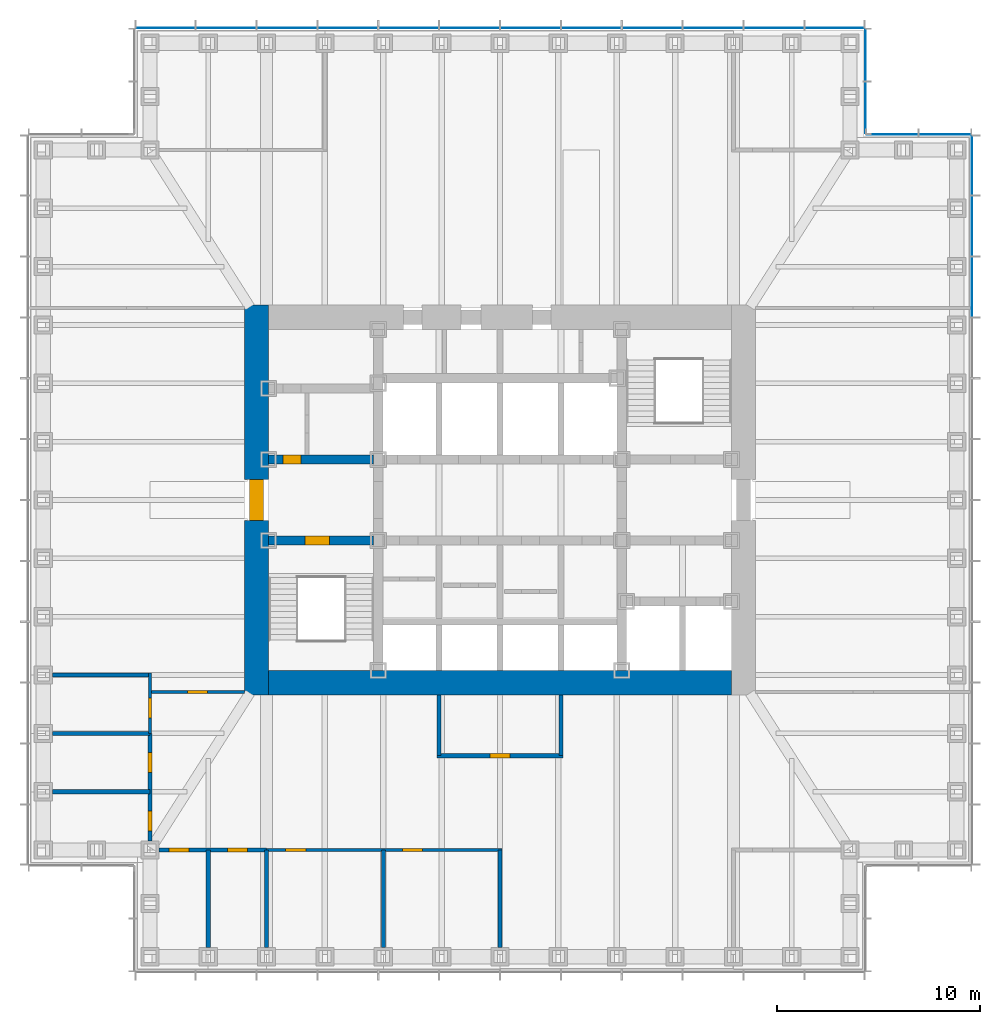
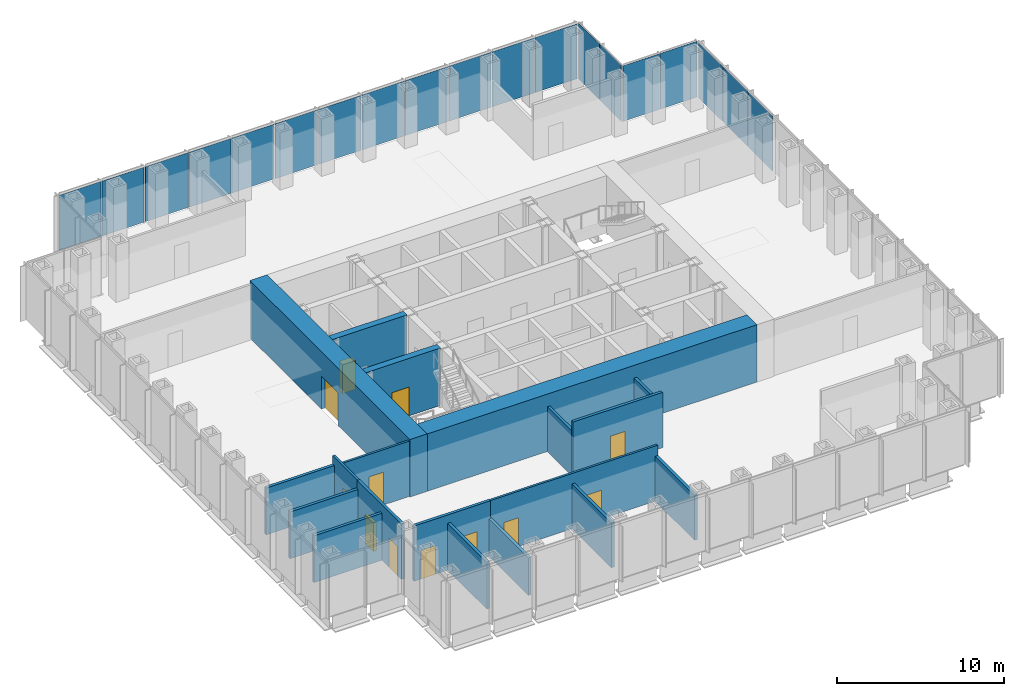
# One storey, part 8 of 16: 19 plates, 19 walls, 12 doors, 12 openings, 4 elements without a shape of their own.
"""IFC4 building model written with IfcOpenShell, lengths in metres."""

from ifc_helpers import new_model, si_unit, direction, frame, frame_2d, origin, origin_2d, place, context, subcontext, project, spatial, rectangle, extrude, material, layer, layer_set, type_object, element, fill, aggregate, save


model = new_model("IFC4")

# Units and contexts
model_context = context("Model", 3, precision=1e-05, world=origin(), true_north=direction((0.0, 1.0)))
body_context = subcontext(model_context, "Body", "Model", "MODEL_VIEW")
ifc_project = project(units=[si_unit("LENGTHUNIT", "METRE"), si_unit("AREAUNIT", "SQUARE_METRE"), si_unit("VOLUMEUNIT", "CUBIC_METRE"), si_unit("PLANEANGLEUNIT", "RADIAN"), si_unit("MASSUNIT", "GRAM", prefix="KILO")], contexts=[model_context])

# Site, building, storey
site_placement = place(None, origin())
site = spatial("IfcSite", under=ifc_project, at=site_placement, CompositionType="ELEMENT")
building_placement = place(site_placement, origin())
building = spatial("IfcBuilding", under=site, at=building_placement, Name="Daluyong Arena Tower", CompositionType="ELEMENT")
storey_placement = place(building_placement, frame((0.0, 0.0, 120.699951171875)))
storey = spatial("IfcBuildingStorey", under=building, at=storey_placement, Name="L26", CompositionType="ELEMENT", Elevation=120.699951171875)

# Curtain wall, plates
ifc_material_1 = material(Name="Bronze anodised aluminium and glass", Category="aluminium")
curtain_wall_type_1 = type_object("IfcCurtainWallType", Name="Curtain wall CW2", PredefinedType="USERDEFINED", material=ifc_material_1)
curtain_wall_1_placement = place(storey_placement, origin())
curtain_wall_1 = element("IfcCurtainWall", 1, at=curtain_wall_1_placement, inside=storey, type_object=curtain_wall_type_1, Name="curtain wall L26 E", ObjectType="UNITISED CURTAIN WALL", PredefinedType="USERDEFINED")
ifc_material_2 = material(Name="Tinted double glazed unit", Category="glass")
ifc_layer_1 = layer(ifc_material_2, 0.031982421875)
ifc_layer_set_1 = layer_set([ifc_layer_1], Name="Tinted double glazed unit")
plate_type_1 = type_object("IfcPlateType", Name="CW2 panel 32", PredefinedType="CURTAIN_PANEL", material=ifc_layer_set_1)
plate_1_placement = place(storey_placement, frame((79.25, 90.5, 0.0), z_axis=(0.0, 0.0, 1.0), x_axis=(0.0, 1.0, 0.0)))
plate_1 = element("IfcPlate", 2, at=plate_1_placement, type_object=plate_type_1, Name="curtain wall L26 E panel 10", PredefinedType="CURTAIN_PANEL", context=body_context, shape_type="SweptSolid", body=[
    extrude(rectangle(XDim=2.919921875, YDim=0.031982421875, at=origin_2d()), origin(), (0.0, 0.0, 1.0), 4.02001953125),
])
plate_2_placement = place(storey_placement, frame((79.25, 93.5, 0.0), z_axis=(0.0, 0.0, 1.0), x_axis=(0.0, 1.0, 0.0)))
plate_2 = element("IfcPlate", 3, at=plate_2_placement, type_object=plate_type_1, Name="curtain wall L26 E panel 11", PredefinedType="CURTAIN_PANEL", context=body_context, shape_type="SweptSolid", body=[
    extrude(rectangle(XDim=2.919921875, YDim=0.031982421875, at=origin_2d()), origin(), (0.0, 0.0, 1.0), 4.02001953125),
])
plate_3_placement = place(storey_placement, frame((79.25, 96.47998046875, 0.0), z_axis=(0.0, 0.0, 1.0), x_axis=(0.0, 1.0, 0.0)))
plate_3 = element("IfcPlate", 4, at=plate_3_placement, type_object=plate_type_1, Name="curtain wall L26 E panel 12", PredefinedType="CURTAIN_PANEL", context=body_context, shape_type="SweptSolid", body=[
    extrude(rectangle(XDim=2.8798828125, YDim=0.031982421875, at=origin_2d()), origin(), (0.0, 0.0, 1.0), 4.02001953125),
])
aggregate(curtain_wall_1, [plate_1, plate_2, plate_3])

curtain_wall_2_placement = place(storey_placement, origin())
curtain_wall_2 = element("IfcCurtainWall", 5, at=curtain_wall_2_placement, inside=storey, type_object=curtain_wall_type_1, Name="curtain wall L26 N", ObjectType="UNITISED CURTAIN WALL", PredefinedType="USERDEFINED")
plate_4_placement = place(storey_placement, frame((72.47998046875, 103.25, 0.0), z_axis=(0.0, 0.0, 1.0), x_axis=(-1.0, 0.0, 0.0)))
plate_4 = element("IfcPlate", 6, at=plate_4_placement, type_object=plate_type_1, Name="curtain wall L26 N panel 1", PredefinedType="CURTAIN_PANEL", context=body_context, shape_type="SweptSolid", body=[
    extrude(rectangle(XDim=2.8798828125, YDim=0.031982421875, at=origin_2d()), origin(), (0.0, 0.0, 1.0), 4.02001953125),
])
plate_5_placement = place(storey_placement, frame((69.5, 103.25, 0.0), z_axis=(0.0, 0.0, 1.0), x_axis=(-1.0, 0.0, 0.0)))
plate_5 = element("IfcPlate", 7, at=plate_5_placement, type_object=plate_type_1, Name="curtain wall L26 N panel 2", PredefinedType="CURTAIN_PANEL", context=body_context, shape_type="SweptSolid", body=[
    extrude(rectangle(XDim=2.919921875, YDim=0.031982421875, at=origin_2d()), origin(), (0.0, 0.0, 1.0), 4.02001953125),
])
plate_6_placement = place(storey_placement, frame((66.5, 103.25, 0.0), z_axis=(0.0, 0.0, 1.0), x_axis=(-1.0, 0.0, 0.0)))
plate_6 = element("IfcPlate", 8, at=plate_6_placement, type_object=plate_type_1, Name="curtain wall L26 N panel 3", PredefinedType="CURTAIN_PANEL", context=body_context, shape_type="SweptSolid", body=[
    extrude(rectangle(XDim=2.919921875, YDim=0.031982421875, at=origin_2d()), origin(), (0.0, 0.0, 1.0), 4.02001953125),
])
plate_7_placement = place(storey_placement, frame((63.5, 103.25, 0.0), z_axis=(0.0, 0.0, 1.0), x_axis=(-1.0, 0.0, 0.0)))
plate_7 = element("IfcPlate", 9, at=plate_7_placement, type_object=plate_type_1, Name="curtain wall L26 N panel 4", PredefinedType="CURTAIN_PANEL", context=body_context, shape_type="SweptSolid", body=[
    extrude(rectangle(XDim=2.919921875, YDim=0.031982421875, at=origin_2d()), origin(), (0.0, 0.0, 1.0), 4.02001953125),
])
plate_8_placement = place(storey_placement, frame((60.5, 103.25, 0.0), z_axis=(0.0, 0.0, 1.0), x_axis=(-1.0, 0.0, 0.0)))
plate_8 = element("IfcPlate", 10, at=plate_8_placement, type_object=plate_type_1, Name="curtain wall L26 N panel 5", PredefinedType="CURTAIN_PANEL", context=body_context, shape_type="SweptSolid", body=[
    extrude(rectangle(XDim=2.919921875, YDim=0.031982421875, at=origin_2d()), origin(), (0.0, 0.0, 1.0), 4.02001953125),
])
plate_9_placement = place(storey_placement, frame((57.5, 103.25, 0.0), z_axis=(0.0, 0.0, 1.0), x_axis=(-1.0, 0.0, 0.0)))
plate_9 = element("IfcPlate", 11, at=plate_9_placement, type_object=plate_type_1, Name="curtain wall L26 N panel 6", PredefinedType="CURTAIN_PANEL", context=body_context, shape_type="SweptSolid", body=[
    extrude(rectangle(XDim=2.919921875, YDim=0.031982421875, at=origin_2d()), origin(), (0.0, 0.0, 1.0), 4.02001953125),
])
plate_10_placement = place(storey_placement, frame((54.5, 103.25, 0.0), z_axis=(0.0, 0.0, 1.0), x_axis=(-1.0, 0.0, 0.0)))
plate_10 = element("IfcPlate", 12, at=plate_10_placement, type_object=plate_type_1, Name="curtain wall L26 N panel 7", PredefinedType="CURTAIN_PANEL", context=body_context, shape_type="SweptSolid", body=[
    extrude(rectangle(XDim=2.919921875, YDim=0.031982421875, at=origin_2d()), origin(), (0.0, 0.0, 1.0), 4.02001953125),
])
plate_11_placement = place(storey_placement, frame((51.5, 103.25, 0.0), z_axis=(0.0, 0.0, 1.0), x_axis=(-1.0, 0.0, 0.0)))
plate_11 = element("IfcPlate", 13, at=plate_11_placement, type_object=plate_type_1, Name="curtain wall L26 N panel 8", PredefinedType="CURTAIN_PANEL", context=body_context, shape_type="SweptSolid", body=[
    extrude(rectangle(XDim=2.919921875, YDim=0.031982421875, at=origin_2d()), origin(), (0.0, 0.0, 1.0), 4.02001953125),
])
plate_12_placement = place(storey_placement, frame((48.5, 103.25, 0.0), z_axis=(0.0, 0.0, 1.0), x_axis=(-1.0, 0.0, 0.0)))
plate_12 = element("IfcPlate", 14, at=plate_12_placement, type_object=plate_type_1, Name="curtain wall L26 N panel 9", PredefinedType="CURTAIN_PANEL", context=body_context, shape_type="SweptSolid", body=[
    extrude(rectangle(XDim=2.919921875, YDim=0.031982421875, at=origin_2d()), origin(), (0.0, 0.0, 1.0), 4.02001953125),
])
plate_13_placement = place(storey_placement, frame((45.5, 103.25, 0.0), z_axis=(0.0, 0.0, 1.0), x_axis=(-1.0, 0.0, 0.0)))
plate_13 = element("IfcPlate", 15, at=plate_13_placement, type_object=plate_type_1, Name="curtain wall L26 N panel 10", PredefinedType="CURTAIN_PANEL", context=body_context, shape_type="SweptSolid", body=[
    extrude(rectangle(XDim=2.919921875, YDim=0.031982421875, at=origin_2d()), origin(), (0.0, 0.0, 1.0), 4.02001953125),
])
plate_14_placement = place(storey_placement, frame((42.5, 103.25, 0.0), z_axis=(0.0, 0.0, 1.0), x_axis=(-1.0, 0.0, 0.0)))
plate_14 = element("IfcPlate", 16, at=plate_14_placement, type_object=plate_type_1, Name="curtain wall L26 N panel 11", PredefinedType="CURTAIN_PANEL", context=body_context, shape_type="SweptSolid", body=[
    extrude(rectangle(XDim=2.919921875, YDim=0.031982421875, at=origin_2d()), origin(), (0.0, 0.0, 1.0), 4.02001953125),
])
plate_15_placement = place(storey_placement, frame((39.52001953125, 103.25, 0.0), z_axis=(0.0, 0.0, 1.0), x_axis=(-1.0, 0.0, 0.0)))
plate_15 = element("IfcPlate", 17, at=plate_15_placement, type_object=plate_type_1, Name="curtain wall L26 N panel 12", PredefinedType="CURTAIN_PANEL", context=body_context, shape_type="SweptSolid", body=[
    extrude(rectangle(XDim=2.8798828125, YDim=0.031982421875, at=origin_2d()), origin(), (0.0, 0.0, 1.0), 4.02001953125),
])
aggregate(curtain_wall_2, [plate_4, plate_5, plate_6, plate_7, plate_8, plate_9, plate_10, plate_11, plate_12, plate_13, plate_14, plate_15])

ifc_material_3 = material(Name="Bronze anodised aluminium and glass", Category="aluminium")
curtain_wall_type_2 = type_object("IfcCurtainWallType", Name="Curtain wall CW7", PredefinedType="USERDEFINED", material=ifc_material_3)
curtain_wall_3_placement = place(storey_placement, origin())
curtain_wall_3 = element("IfcCurtainWall", 18, at=curtain_wall_3_placement, inside=storey, type_object=curtain_wall_type_2, Name="curtain wall L26 NE-N", ObjectType="UNITISED CURTAIN WALL", PredefinedType="USERDEFINED")
ifc_material_4 = material(Name="Tinted double glazed unit", Category="glass")
ifc_layer_2 = layer(ifc_material_4, 0.028076171875)
ifc_layer_set_2 = layer_set([ifc_layer_2], Name="Tinted double glazed unit")
plate_type_2 = type_object("IfcPlateType", Name="CW7 panel 28", PredefinedType="CURTAIN_PANEL", material=ifc_layer_set_2)
plate_16_placement = place(storey_placement, frame((77.922607421875, 98.0, 0.0), z_axis=(0.0, 0.0, 1.0), x_axis=(-1.0, 0.0, 0.0)))
plate_16 = element("IfcPlate", 19, at=plate_16_placement, type_object=plate_type_2, Name="curtain wall L26 NE-N panel 1", PredefinedType="CURTAIN_PANEL", context=body_context, shape_type="SweptSolid", body=[
    extrude(rectangle(XDim=2.534912109375, YDim=0.028076171875, at=origin_2d()), origin(), (0.0, 0.0, 1.0), 4.080078125),
])
plate_17_placement = place(storey_placement, frame((75.327392578125, 98.0, 0.0), z_axis=(0.0, 0.0, 1.0), x_axis=(-1.0, 0.0, 0.0)))
plate_17 = element("IfcPlate", 20, at=plate_17_placement, type_object=plate_type_2, Name="curtain wall L26 NE-N panel 2", PredefinedType="CURTAIN_PANEL", context=body_context, shape_type="SweptSolid", body=[
    extrude(rectangle(XDim=2.534912109375, YDim=0.028076171875, at=origin_2d()), origin(), (0.0, 0.0, 1.0), 4.080078125),
])
aggregate(curtain_wall_3, [plate_16, plate_17])

curtain_wall_4_placement = place(storey_placement, origin())
curtain_wall_4 = element("IfcCurtainWall", 21, at=curtain_wall_4_placement, inside=storey, type_object=curtain_wall_type_2, Name="curtain wall L26 NE-E", ObjectType="UNITISED CURTAIN WALL", PredefinedType="USERDEFINED")
plate_18_placement = place(storey_placement, frame((74.0, 99.327392578125, 0.0), z_axis=(0.0, 0.0, 1.0), x_axis=(0.0, 1.0, 0.0)))
plate_18 = element("IfcPlate", 22, at=plate_18_placement, type_object=plate_type_2, Name="curtain wall L26 NE-E panel 1", PredefinedType="CURTAIN_PANEL", context=body_context, shape_type="SweptSolid", body=[
    extrude(rectangle(XDim=2.534912109375, YDim=0.028076171875, at=origin_2d()), origin(), (0.0, 0.0, 1.0), 4.080078125),
])
plate_19_placement = place(storey_placement, frame((74.0, 101.922607421875, 0.0), z_axis=(0.0, 0.0, 1.0), x_axis=(0.0, 1.0, 0.0)))
plate_19 = element("IfcPlate", 23, at=plate_19_placement, type_object=plate_type_2, Name="curtain wall L26 NE-E panel 2", PredefinedType="CURTAIN_PANEL", context=body_context, shape_type="SweptSolid", body=[
    extrude(rectangle(XDim=2.534912109375, YDim=0.028076171875, at=origin_2d()), origin(), (0.0, 0.0, 1.0), 4.080078125),
])
aggregate(curtain_wall_4, [plate_18, plate_19])

# Wall, opening, door
ifc_material_5 = material(Name="Concrete fc' 45 MPa", Category="concrete")
ifc_layer_3 = layer(ifc_material_5, 0.449951171875)
ifc_layer_set_3 = layer_set([ifc_layer_3], Name="Concrete fc' 45 MPa")
wall_type_1 = type_object("IfcWallType", Name="Core inner wall 450", PredefinedType="SHEAR", material=ifc_layer_set_3)
wall_1_placement = place(storey_placement, frame((44.60009765625, 78.0, 0.0), z_axis=(0.0, 0.0, 1.0), x_axis=(1.0, 0.0, 0.0)))
wall_1 = element("IfcWall", 24, at=wall_1_placement, inside=storey, type_object=wall_type_1, Name="core inner wall at L26", PredefinedType="SHEAR", context=body_context, shape_type="SweptSolid", body=[
    extrude(rectangle(XDim=5.1748046875, YDim=0.449951171875, at=frame_2d((2.58740234375, 0.0))), origin(), (0.0, 0.0, 1.0), 4.199951171875),
])
opening_1_placement = place(wall_1_placement, frame((1.800048828125, 0.0, 0.0)))
opening_1 = element("IfcOpeningElement", 25, at=opening_1_placement, cuts=wall_1, Name="Opening 26015", PredefinedType="OPENING", context=body_context, shape_type="SweptSolid", body=[
    extrude(rectangle(XDim=1.199951171875, YDim=2.10009765625, at=frame_2d((0.60009765625, 1.050048828125))), frame((0.0, 0.23486328125, 0.0), z_axis=(0.0, -1.0, 0.0), x_axis=(1.0, 0.0, 0.0)), (0.0, 0.0, 1.0), 0.469970703125),
])
ifc_material_6 = material(Name="Steel door, fire rated", Category="steel")
door_type_1 = type_object("IfcDoorType", Name="Stair door 1200", OperationType="SINGLE_SWING_LEFT", PredefinedType="DOOR", material=ifc_material_6)
door_1_placement = place(opening_1_placement, origin())
door_1 = element("IfcDoor", 26, at=door_1_placement, inside=storey, type_object=door_type_1, Name="stair A door 26015", OperationType="SINGLE_SWING_LEFT", OverallHeight=2.10009765625, OverallWidth=1.199951171875, PredefinedType="DOOR", context=body_context, shape_type="SweptSolid", body=[
    extrude(rectangle(XDim=1.199951171875, YDim=2.10009765625, at=frame_2d((0.60009765625, 1.050048828125))), frame((0.0, 0.224609375, 0.0), z_axis=(0.0, -1.0, 0.0), x_axis=(1.0, 0.0, 0.0)), (0.0, 0.0, 1.0), 0.449462890625),
])
fill(opening_1, door_1)

wall_2_placement = place(storey_placement, frame((44.60009765625, 82.0, 0.0), z_axis=(0.0, 0.0, 1.0), x_axis=(1.0, 0.0, 0.0)))
wall_2 = element("IfcWall", 27, at=wall_2_placement, inside=storey, type_object=wall_type_1, Name="core inner wall at L26", PredefinedType="SHEAR", context=body_context, shape_type="SweptSolid", body=[
    extrude(rectangle(XDim=5.1748046875, YDim=0.449951171875, at=frame_2d((2.58740234375, 0.0))), origin(), (0.0, 0.0, 1.0), 4.199951171875),
])
opening_2_placement = place(wall_2_placement, frame((0.699951171875, 0.0, 0.0)))
opening_2 = element("IfcOpeningElement", 28, at=opening_2_placement, cuts=wall_2, Name="Opening 26001", PredefinedType="OPENING", context=body_context, shape_type="SweptSolid", body=[
    extrude(rectangle(XDim=0.89990234375, YDim=2.10009765625, at=frame_2d((0.449951171875, 1.050048828125))), frame((0.0, 0.23486328125, 0.0), z_axis=(0.0, -1.0, 0.0), x_axis=(1.0, 0.0, 0.0)), (0.0, 0.0, 1.0), 0.469970703125),
])
ifc_material_7 = material(Name="Steel door, fire rated", Category="steel")
door_type_2 = type_object("IfcDoorType", Name="Core room door 900", OperationType="SINGLE_SWING_LEFT", PredefinedType="DOOR", material=ifc_material_7)
door_2_placement = place(opening_2_placement, origin())
door_2 = element("IfcDoor", 29, at=door_2_placement, inside=storey, type_object=door_type_2, Name="toilet lobby door 26001", OperationType="SINGLE_SWING_LEFT", OverallHeight=2.10009765625, OverallWidth=0.89990234375, PredefinedType="DOOR", context=body_context, shape_type="SweptSolid", body=[
    extrude(rectangle(XDim=0.89990234375, YDim=2.10009765625, at=frame_2d((0.449951171875, 1.050048828125))), frame((0.0, 0.224609375, 0.0), z_axis=(0.0, -1.0, 0.0), x_axis=(1.0, 0.0, 0.0)), (0.0, 0.0, 1.0), 0.449462890625),
])
fill(opening_2, door_2)

ifc_material_8 = material(Name="Concrete fc' 60 MPa", Category="concrete")
ifc_layer_4 = layer(ifc_material_8, 1.199951171875)
ifc_layer_set_4 = layer_set([ifc_layer_4], Name="Concrete fc' 60 MPa")
wall_type_2 = type_object("IfcWallType", Name="Core wall 1200", PredefinedType="SHEAR", material=ifc_layer_set_4)
wall_3_placement = place(storey_placement, frame((44.0, 70.39990234375, 0.0), z_axis=(0.0, 0.0, 1.0), x_axis=(0.0, 1.0, 0.0)))
wall_3 = element("IfcWall", 30, at=wall_3_placement, inside=storey, type_object=wall_type_2, Name="core wall at L26", PredefinedType="SHEAR", context=body_context, shape_type="SweptSolid", body=[
    extrude(rectangle(XDim=19.2001953125, YDim=1.199951171875, at=frame_2d((9.60009765625, 0.0))), origin(), (0.0, 0.0, 1.0), 4.199951171875),
])
opening_3_placement = place(wall_3_placement, frame((8.60009765625, 0.0, 0.0)))
opening_3 = element("IfcOpeningElement", 31, at=opening_3_placement, cuts=wall_3, Name="Opening 26017", PredefinedType="OPENING", context=body_context, shape_type="SweptSolid", body=[
    extrude(rectangle(XDim=2.0, YDim=2.39990234375, at=frame_2d((1.0, 1.199951171875))), frame((0.0, 0.60986328125, 0.0), z_axis=(0.0, -1.0, 0.0), x_axis=(1.0, 0.0, 0.0)), (0.0, 0.0, 1.0), 1.219970703125),
])
ifc_material_9 = material(Name="Steel door, fire rated", Category="steel")
door_type_3 = type_object("IfcDoorType", Name="Core lobby double door 2000", OperationType="DOUBLE_DOOR_SINGLE_SWING", PredefinedType="DOOR", material=ifc_material_9)
door_3_placement = place(opening_3_placement, origin())
door_3 = element("IfcDoor", 32, at=door_3_placement, inside=storey, type_object=door_type_3, Name="core lobby door west 26017", OperationType="DOUBLE_DOOR_SINGLE_SWING", OverallHeight=2.39990234375, OverallWidth=2.0, PredefinedType="DOOR", context=body_context, shape_type="SweptSolid", body=[
    extrude(rectangle(XDim=2.0, YDim=2.39990234375, at=frame_2d((1.0, 1.199951171875))), frame((0.0, 0.35009765625, 0.0), z_axis=(0.0, -1.0, 0.0), x_axis=(1.0, 0.0, 0.0)), (0.0, 0.0, 1.0), 0.699951171875),
])
fill(opening_3, door_3)

# Wall
wall_4_placement = place(storey_placement, frame((44.60009765625, 71.0, 0.0), z_axis=(0.0, 0.0, 1.0), x_axis=(1.0, 0.0, 0.0)))
element("IfcWall", 33, at=wall_4_placement, inside=storey, type_object=wall_type_2, Name="core wall at L26", PredefinedType="SHEAR", context=body_context, shape_type="SweptSolid", body=[
    extrude(rectangle(XDim=22.7998046875, YDim=1.199951171875, at=frame_2d((11.39990234375, 0.0))), origin(), (0.0, 0.0, 1.0), 4.199951171875),
])

# Wall, openings, doors
ifc_material_10 = material(Name="Glazed aluminium partition", Category="aluminium")
ifc_layer_5 = layer(ifc_material_10, 0.14990234375)
ifc_layer_set_5 = layer_set([ifc_layer_5], Name="Glazed aluminium partition")
wall_type_3 = type_object("IfcWallType", Name="Glazed partition 150", PredefinedType="PARTITIONING", material=ifc_layer_set_5)
wall_5_placement = place(storey_placement, frame((44.5, 62.75, 0.0), z_axis=(0.0, 0.0, 1.0), x_axis=(1.0, 0.0, 0.0)))
wall_5 = element("IfcWall", 34, at=wall_5_placement, inside=storey, type_object=wall_type_3, Name="glazed partition at L26", PredefinedType="PARTITIONING", context=body_context, shape_type="SweptSolid", body=[
    extrude(rectangle(XDim=11.60009765625, YDim=0.14990234375, at=frame_2d((5.800048828125, 0.0))), origin(), (0.0, 0.0, 1.0), 4.0400390625),
])
opening_4_placement = place(wall_5_placement, frame((0.9375, 0.0, 0.0)))
opening_4 = element("IfcOpeningElement", 35, at=opening_4_placement, cuts=wall_5, Name="Opening 26030", PredefinedType="OPENING", context=body_context, shape_type="SweptSolid", body=[
    extrude(rectangle(XDim=1.0, YDim=2.10009765625, at=frame_2d((0.5, 1.050048828125))), frame((0.0, 0.0849609375, 0.0), z_axis=(0.0, -1.0, 0.0), x_axis=(1.0, 0.0, 0.0)), (0.0, 0.0, 1.0), 0.169921875),
])
opening_5_placement = place(wall_5_placement, frame((6.6875, 0.0, 0.0)))
opening_5 = element("IfcOpeningElement", 36, at=opening_5_placement, cuts=wall_5, Name="Opening 26031", PredefinedType="OPENING", context=body_context, shape_type="SweptSolid", body=[
    extrude(rectangle(XDim=1.0, YDim=2.10009765625, at=frame_2d((0.5, 1.050048828125))), frame((0.0, 0.0849609375, 0.0), z_axis=(0.0, -1.0, 0.0), x_axis=(1.0, 0.0, 0.0)), (0.0, 0.0, 1.0), 0.169921875),
])
ifc_material_11 = material(Name="Timber door", Category="wood")
door_type_4 = type_object("IfcDoorType", Name="Room door 1000", OperationType="SINGLE_SWING_LEFT", PredefinedType="DOOR", material=ifc_material_11)
door_4_placement = place(opening_4_placement, origin())
door_4 = element("IfcDoor", 37, at=door_4_placement, inside=storey, type_object=door_type_4, Name="office door 26030", OperationType="SINGLE_SWING_LEFT", OverallHeight=2.10009765625, OverallWidth=1.0, PredefinedType="DOOR", context=body_context, shape_type="SweptSolid", body=[
    extrude(rectangle(XDim=1.0, YDim=2.10009765625, at=frame_2d((0.5, 1.050048828125))), frame((0.0, 0.07470703125, 0.0), z_axis=(0.0, -1.0, 0.0), x_axis=(1.0, 0.0, 0.0)), (0.0, 0.0, 1.0), 0.1494140625),
])
fill(opening_4, door_4)
door_5_placement = place(opening_5_placement, origin())
door_5 = element("IfcDoor", 38, at=door_5_placement, inside=storey, type_object=door_type_4, Name="office door 26031", OperationType="SINGLE_SWING_LEFT", OverallHeight=2.10009765625, OverallWidth=1.0, PredefinedType="DOOR", context=body_context, shape_type="SweptSolid", body=[
    extrude(rectangle(XDim=1.0, YDim=2.10009765625, at=frame_2d((0.5, 1.050048828125))), frame((0.0, 0.07470703125, 0.0), z_axis=(0.0, -1.0, 0.0), x_axis=(1.0, 0.0, 0.0)), (0.0, 0.0, 1.0), 0.1494140625),
])
fill(opening_5, door_5)

# Wall, opening, door
wall_6_placement = place(storey_placement, frame((38.800048828125, 70.550048828125, 0.0), z_axis=(0.0, 0.0, 1.0), x_axis=(1.0, 0.0, 0.0)))
wall_6 = element("IfcWall", 39, at=wall_6_placement, inside=storey, type_object=wall_type_3, Name="glazed partition at L26", PredefinedType="PARTITIONING", context=body_context, shape_type="SweptSolid", body=[
    extrude(rectangle(XDim=4.599853515625, YDim=0.14990234375, at=frame_2d((2.2998046875, 0.0))), origin(), (0.0, 0.0, 1.0), 4.0400390625),
])
opening_6_placement = place(wall_6_placement, frame((1.800048828125, 0.0, 0.0)))
opening_6 = element("IfcOpeningElement", 40, at=opening_6_placement, cuts=wall_6, Name="Opening 26039", PredefinedType="OPENING", context=body_context, shape_type="SweptSolid", body=[
    extrude(rectangle(XDim=1.0, YDim=2.39990234375, at=frame_2d((0.5, 1.199951171875))), frame((0.0, 0.0849609375, 0.0), z_axis=(0.0, -1.0, 0.0), x_axis=(1.0, 0.0, 0.0)), (0.0, 0.0, 1.0), 0.169921875),
])
ifc_material_12 = material(Name="Glazed aluminium door", Category="aluminium")
door_type_5 = type_object("IfcDoorType", Name="Meeting room glazed door 1000", OperationType="SINGLE_SWING_RIGHT", PredefinedType="DOOR", material=ifc_material_12)
door_6_placement = place(opening_6_placement, origin())
door_6 = element("IfcDoor", 41, at=door_6_placement, inside=storey, type_object=door_type_5, Name="team area screen door 26039", OperationType="SINGLE_SWING_RIGHT", OverallHeight=2.39990234375, OverallWidth=1.0, PredefinedType="DOOR", context=body_context, shape_type="SweptSolid", body=[
    extrude(rectangle(XDim=1.0, YDim=2.39990234375, at=frame_2d((0.5, 1.199951171875))), frame((0.0, 0.07470703125, 0.0), z_axis=(0.0, -1.0, 0.0), x_axis=(1.0, 0.0, 0.0)), (0.0, 0.0, 1.0), 0.1494140625),
])
fill(opening_6, door_6)

wall_7_placement = place(storey_placement, frame((38.75, 68.5, 0.0), z_axis=(0.0, 0.0, 1.0), x_axis=(0.0, 1.0, 0.0)))
wall_7 = element("IfcWall", 42, at=wall_7_placement, inside=storey, type_object=wall_type_3, Name="glazed partition at L26", PredefinedType="PARTITIONING", context=body_context, shape_type="SweptSolid", body=[
    extrude(rectangle(XDim=2.97509765625, YDim=0.14990234375, at=frame_2d((1.487548828125, 0.0))), origin(), (0.0, 0.0, 1.0), 4.0400390625),
])
opening_7_placement = place(wall_7_placement, frame((0.75, 0.0, 0.0)))
opening_7 = element("IfcOpeningElement", 43, at=opening_7_placement, cuts=wall_7, Name="Opening 26037", PredefinedType="OPENING", context=body_context, shape_type="SweptSolid", body=[
    extrude(rectangle(XDim=1.0, YDim=2.39990234375, at=frame_2d((0.5, 1.199951171875))), frame((0.0, 0.0849609375, 0.0), z_axis=(0.0, -1.0, 0.0), x_axis=(1.0, 0.0, 0.0)), (0.0, 0.0, 1.0), 0.169921875),
])
door_7_placement = place(opening_7_placement, origin())
door_7 = element("IfcDoor", 44, at=door_7_placement, inside=storey, type_object=door_type_5, Name="focus room door 26037", OperationType="SINGLE_SWING_RIGHT", OverallHeight=2.39990234375, OverallWidth=1.0, PredefinedType="DOOR", context=body_context, shape_type="SweptSolid", body=[
    extrude(rectangle(XDim=1.0, YDim=2.39990234375, at=frame_2d((0.5, 1.199951171875))), frame((0.0, 0.07470703125, 0.0), z_axis=(0.0, -1.0, 0.0), x_axis=(1.0, 0.0, 0.0)), (0.0, 0.0, 1.0), 0.1494140625),
])
fill(opening_7, door_7)

# Walls
ifc_material_13 = material(Name="Concrete block partition", Category="concrete")
ifc_layer_6 = layer(ifc_material_13, 0.199951171875)
ifc_layer_set_6 = layer_set([ifc_layer_6], Name="Concrete block partition")
wall_type_4 = type_object("IfcWallType", Name="Partition 200", PredefinedType="PARTITIONING", material=ifc_layer_set_6)
wall_8_placement = place(storey_placement, frame((41.625, 57.949951171875, 0.0), z_axis=(0.0, 0.0, 1.0), x_axis=(0.0, 1.0, 0.0)))
element("IfcWall", 45, at=wall_8_placement, inside=storey, type_object=wall_type_4, Name="partition at L26", PredefinedType="PARTITIONING", context=body_context, shape_type="SweptSolid", body=[
    extrude(rectangle(XDim=4.800048828125, YDim=0.199951171875, at=frame_2d((2.39990234375, 0.0))), origin(), (0.0, 0.0, 1.0), 3.427978515625),
])
wall_9_placement = place(storey_placement, frame((44.5, 57.949951171875, 0.0), z_axis=(0.0, 0.0, 1.0), x_axis=(0.0, 1.0, 0.0)))
element("IfcWall", 46, at=wall_9_placement, inside=storey, type_object=wall_type_4, Name="partition at L26", PredefinedType="PARTITIONING", context=body_context, shape_type="SweptSolid", body=[
    extrude(rectangle(XDim=4.800048828125, YDim=0.199951171875, at=frame_2d((2.39990234375, 0.0))), origin(), (0.0, 0.0, 1.0), 2.739990234375),
])
for number, where, z_axis, x_axis, name in (
    (47, (50.25, 57.949951171875, 0.0), (0.0, 0.0, 1.0), (0.0, 1.0, 0.0), "partition at L26"),
    (48, (56.0, 57.949951171875, 0.0), (0.0, 0.0, 1.0), (0.0, 1.0, 0.0), "partition at L26"),
):
    element("IfcWall", number, at=place(storey_placement, frame(where, z_axis=z_axis, x_axis=x_axis)), inside=storey, type_object=wall_type_4, Name=name, PredefinedType="PARTITIONING", context=body_context, shape_type="SweptSolid", body=[
        extrude(rectangle(XDim=4.800048828125, YDim=0.199951171875, at=frame_2d((2.39990234375, 0.0))), origin(), (0.0, 0.0, 1.0), 3.278076171875),
    ])
for number, where, z_axis, x_axis, name in (
    (49, (33.949951171875, 65.625, 0.0), (0.0, 0.0, 1.0), (1.0, 0.0, 0.0), "partition at L26"),
    (50, (33.949951171875, 68.5, 0.0), (0.0, 0.0, 1.0), (1.0, 0.0, 0.0), "partition at L26"),
    (51, (33.949951171875, 71.375, 0.0), (0.0, 0.0, 1.0), (1.0, 0.0, 0.0), "partition at L26"),
):
    element("IfcWall", number, at=place(storey_placement, frame(where, z_axis=z_axis, x_axis=x_axis)), inside=storey, type_object=wall_type_4, Name=name, PredefinedType="PARTITIONING", context=body_context, shape_type="SweptSolid", body=[
        extrude(rectangle(XDim=4.800048828125, YDim=0.199951171875, at=frame_2d((2.39990234375, 0.0))), origin(), (0.0, 0.0, 1.0), 3.427978515625),
    ])
for number, where, z_axis, x_axis, name in (
    (52, (53.0, 67.39990234375, 0.0), (0.0, 0.0, 1.0), (0.0, 1.0, 0.0), "partition at L26"),
    (53, (59.0, 67.39990234375, 0.0), (0.0, 0.0, 1.0), (0.0, 1.0, 0.0), "partition at L26"),
):
    element("IfcWall", number, at=place(storey_placement, frame(where, z_axis=z_axis, x_axis=x_axis)), inside=storey, type_object=wall_type_4, Name=name, PredefinedType="PARTITIONING", context=body_context, shape_type="SweptSolid", body=[
        extrude(rectangle(XDim=3.0, YDim=0.199951171875, at=frame_2d((1.5, 0.0))), origin(), (0.0, 0.0, 1.0), 3.278076171875),
    ])

# Wall, openings, doors
wall_10_placement = place(storey_placement, frame((39.199951171875, 62.75, 0.0), z_axis=(0.0, 0.0, 1.0), x_axis=(1.0, 0.0, 0.0)))
wall_10 = element("IfcWall", 54, at=wall_10_placement, inside=storey, type_object=wall_type_4, Name="partition at L26", PredefinedType="PARTITIONING", context=body_context, shape_type="SweptSolid", body=[
    extrude(rectangle(XDim=5.300048828125, YDim=0.199951171875, at=frame_2d((2.64990234375, 0.0))), origin(), (0.0, 0.0, 1.0), 4.0400390625),
])
opening_8_placement = place(wall_10_placement, frame((0.487548828125, 0.0, 0.0)))
opening_8 = element("IfcOpeningElement", 55, at=opening_8_placement, cuts=wall_10, Name="Opening 26028", PredefinedType="OPENING", context=body_context, shape_type="SweptSolid", body=[
    extrude(rectangle(XDim=1.0, YDim=2.10009765625, at=frame_2d((0.5, 1.050048828125))), frame((0.0, 0.10986328125, 0.0), z_axis=(0.0, -1.0, 0.0), x_axis=(1.0, 0.0, 0.0)), (0.0, 0.0, 1.0), 0.219970703125),
])
opening_9_placement = place(wall_10_placement, frame((3.362548828125, 0.0, 0.0)))
opening_9 = element("IfcOpeningElement", 56, at=opening_9_placement, cuts=wall_10, Name="Opening 26029", PredefinedType="OPENING", context=body_context, shape_type="SweptSolid", body=[
    extrude(rectangle(XDim=1.0, YDim=2.10009765625, at=frame_2d((0.5, 1.050048828125))), frame((0.0, 0.10986328125, 0.0), z_axis=(0.0, -1.0, 0.0), x_axis=(1.0, 0.0, 0.0)), (0.0, 0.0, 1.0), 0.219970703125),
])
door_8_placement = place(opening_8_placement, origin())
door_8 = element("IfcDoor", 57, at=door_8_placement, inside=storey, type_object=door_type_4, Name="quiet room door 26028", OperationType="SINGLE_SWING_LEFT", OverallHeight=2.10009765625, OverallWidth=1.0, PredefinedType="DOOR", context=body_context, shape_type="SweptSolid", body=[
    extrude(rectangle(XDim=1.0, YDim=2.10009765625, at=frame_2d((0.5, 1.050048828125))), frame((0.0, 0.099609375, 0.0), z_axis=(0.0, -1.0, 0.0), x_axis=(1.0, 0.0, 0.0)), (0.0, 0.0, 1.0), 0.199462890625),
])
fill(opening_8, door_8)
door_9_placement = place(opening_9_placement, origin())
door_9 = element("IfcDoor", 58, at=door_9_placement, inside=storey, type_object=door_type_4, Name="copy room door 26029", OperationType="SINGLE_SWING_LEFT", OverallHeight=2.10009765625, OverallWidth=1.0, PredefinedType="DOOR", context=body_context, shape_type="SweptSolid", body=[
    extrude(rectangle(XDim=1.0, YDim=2.10009765625, at=frame_2d((0.5, 1.050048828125))), frame((0.0, 0.099609375, 0.0), z_axis=(0.0, -1.0, 0.0), x_axis=(1.0, 0.0, 0.0)), (0.0, 0.0, 1.0), 0.199462890625),
])
fill(opening_9, door_9)

# Wall, opening, door
wall_11_placement = place(storey_placement, frame((52.89990234375, 67.39990234375, 0.0), z_axis=(0.0, 0.0, 1.0), x_axis=(1.0, 0.0, 0.0)))
wall_11 = element("IfcWall", 59, at=wall_11_placement, inside=storey, type_object=wall_type_4, Name="partition at L26", PredefinedType="PARTITIONING", context=body_context, shape_type="SweptSolid", body=[
    extrude(rectangle(XDim=6.2001953125, YDim=0.199951171875, at=frame_2d((3.10009765625, 0.0))), origin(), (0.0, 0.0, 1.0), 4.0400390625),
])
opening_10_placement = place(wall_11_placement, frame((2.60009765625, 0.0, 0.0)))
opening_10 = element("IfcOpeningElement", 60, at=opening_10_placement, cuts=wall_11, Name="Opening 26038", PredefinedType="OPENING", context=body_context, shape_type="SweptSolid", body=[
    extrude(rectangle(XDim=1.0, YDim=2.10009765625, at=frame_2d((0.5, 1.050048828125))), frame((0.0, 0.10986328125, 0.0), z_axis=(0.0, -1.0, 0.0), x_axis=(1.0, 0.0, 0.0)), (0.0, 0.0, 1.0), 0.219970703125),
])
door_10_placement = place(opening_10_placement, origin())
door_10 = element("IfcDoor", 61, at=door_10_placement, inside=storey, type_object=door_type_4, Name="copy room door 26038", OperationType="SINGLE_SWING_LEFT", OverallHeight=2.10009765625, OverallWidth=1.0, PredefinedType="DOOR", context=body_context, shape_type="SweptSolid", body=[
    extrude(rectangle(XDim=1.0, YDim=2.10009765625, at=frame_2d((0.5, 1.050048828125))), frame((0.0, 0.099609375, 0.0), z_axis=(0.0, -1.0, 0.0), x_axis=(1.0, 0.0, 0.0)), (0.0, 0.0, 1.0), 0.199462890625),
])
fill(opening_10, door_10)

# Wall, openings, doors
wall_12_placement = place(storey_placement, frame((38.75, 63.199951171875, 0.0), z_axis=(0.0, 0.0, 1.0), x_axis=(0.0, 1.0, 0.0)))
wall_12 = element("IfcWall", 62, at=wall_12_placement, inside=storey, type_object=wall_type_4, Name="partition at L26", PredefinedType="PARTITIONING", context=body_context, shape_type="SweptSolid", body=[
    extrude(rectangle(XDim=5.300048828125, YDim=0.199951171875, at=frame_2d((2.64990234375, 0.0))), origin(), (0.0, 0.0, 1.0), 4.0400390625),
])
opening_11_placement = place(wall_12_placement, frame((0.487548828125, 0.0, 0.0)))
opening_11 = element("IfcOpeningElement", 63, at=opening_11_placement, cuts=wall_12, Name="Opening 26035", PredefinedType="OPENING", context=body_context, shape_type="SweptSolid", body=[
    extrude(rectangle(XDim=1.0, YDim=2.10009765625, at=frame_2d((0.5, 1.050048828125))), frame((0.0, 0.10986328125, 0.0), z_axis=(0.0, -1.0, 0.0), x_axis=(1.0, 0.0, 0.0)), (0.0, 0.0, 1.0), 0.219970703125),
])
opening_12_placement = place(wall_12_placement, frame((3.362548828125, 0.0, 0.0)))
opening_12 = element("IfcOpeningElement", 64, at=opening_12_placement, cuts=wall_12, Name="Opening 26036", PredefinedType="OPENING", context=body_context, shape_type="SweptSolid", body=[
    extrude(rectangle(XDim=1.0, YDim=2.10009765625, at=frame_2d((0.5, 1.050048828125))), frame((0.0, 0.10986328125, 0.0), z_axis=(0.0, -1.0, 0.0), x_axis=(1.0, 0.0, 0.0)), (0.0, 0.0, 1.0), 0.219970703125),
])
door_11_placement = place(opening_11_placement, origin())
door_11 = element("IfcDoor", 65, at=door_11_placement, inside=storey, type_object=door_type_4, Name="wellness room door 26035", OperationType="SINGLE_SWING_LEFT", OverallHeight=2.10009765625, OverallWidth=1.0, PredefinedType="DOOR", context=body_context, shape_type="SweptSolid", body=[
    extrude(rectangle(XDim=1.0, YDim=2.10009765625, at=frame_2d((0.5, 1.050048828125))), frame((0.0, 0.099609375, 0.0), z_axis=(0.0, -1.0, 0.0), x_axis=(1.0, 0.0, 0.0)), (0.0, 0.0, 1.0), 0.199462890625),
])
fill(opening_11, door_11)
door_12_placement = place(opening_12_placement, origin())
door_12 = element("IfcDoor", 66, at=door_12_placement, inside=storey, type_object=door_type_4, Name="wellness room door 26036", OperationType="SINGLE_SWING_LEFT", OverallHeight=2.10009765625, OverallWidth=1.0, PredefinedType="DOOR", context=body_context, shape_type="SweptSolid", body=[
    extrude(rectangle(XDim=1.0, YDim=2.10009765625, at=frame_2d((0.5, 1.050048828125))), frame((0.0, 0.099609375, 0.0), z_axis=(0.0, -1.0, 0.0), x_axis=(1.0, 0.0, 0.0)), (0.0, 0.0, 1.0), 0.199462890625),
])
fill(opening_12, door_12)

save(model, "model.ifc")
